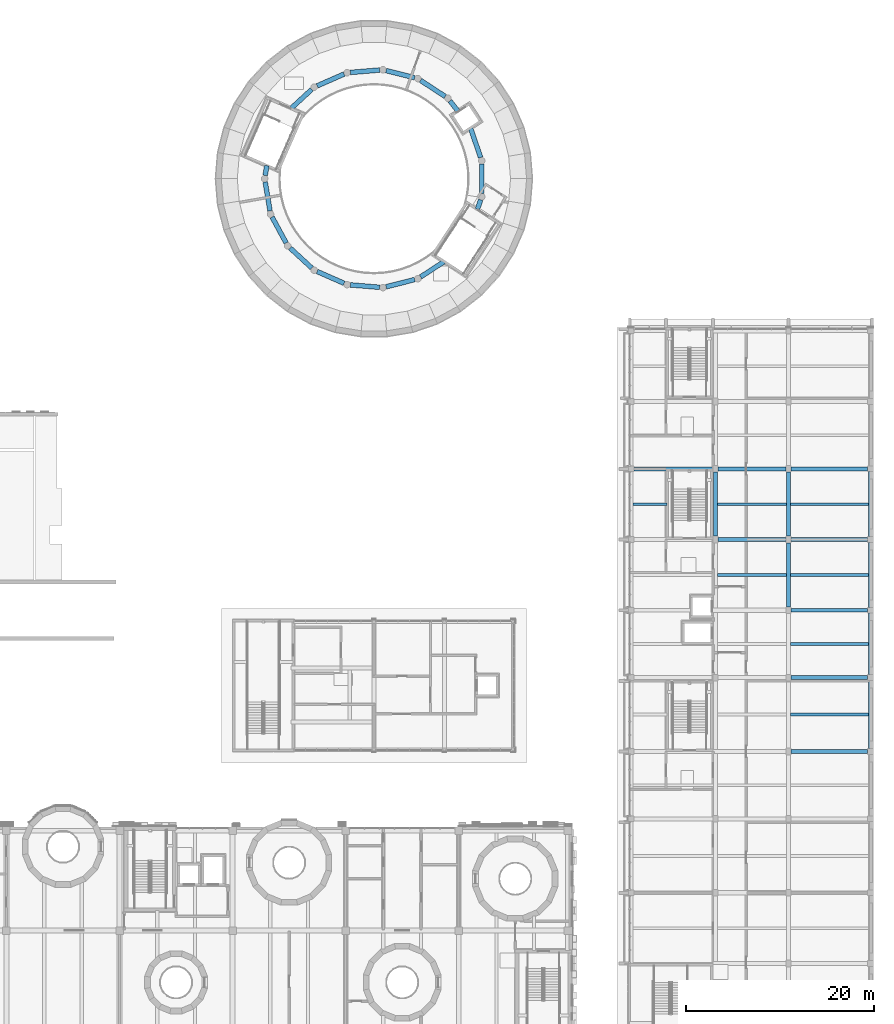
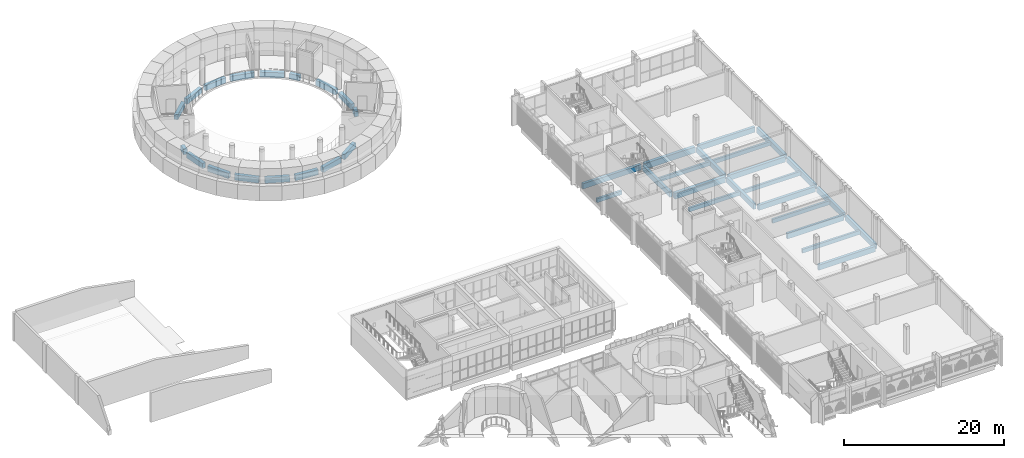
# One storey, part 33 of 92: 39 beams.
"""IFC4 building model written with IfcOpenShell, lengths in metres."""

from ifc_helpers import new_model, si_unit, direction, frame, origin, origin_2d, place, context, subcontext, project, spatial, rectangle, extrude, material, material_profile, profile_set, type_object, element, save


model = new_model("IFC4")

# Units and contexts
model_context = context("Model", 3, precision=1e-05, world=origin(), true_north=direction((0.0, 1.0)))
body_context = subcontext(model_context, "Body", "Model", "MODEL_VIEW")
ifc_project = project(units=[si_unit("LENGTHUNIT", "METRE"), si_unit("AREAUNIT", "SQUARE_METRE"), si_unit("VOLUMEUNIT", "CUBIC_METRE"), si_unit("PLANEANGLEUNIT", "RADIAN"), si_unit("MASSUNIT", "GRAM", prefix="KILO")], contexts=[model_context])

# Site, building, storey
site_placement = place(None, origin())
site = spatial("IfcSite", under=ifc_project, at=site_placement, CompositionType="ELEMENT")
building_placement = place(site_placement, origin())
building = spatial("IfcBuilding", under=site, at=building_placement, Name="Sun Court Science Centre", CompositionType="ELEMENT")
storey_placement = place(building_placement, frame((0.0, 0.0, 11.25)))
storey = spatial("IfcBuildingStorey", under=building, at=storey_placement, Name="L02", CompositionType="ELEMENT", Elevation=11.25)

# Beams
ifc_material_1 = material(Name="Concrete C25/30", Category="concrete")
ifc_material_profile_1 = material_profile(ifc_material_1, rectangle(XDim=0.39990234375, YDim=0.800048828125, at=origin_2d()), Name="RC 400x800")
ifc_profile_set_1 = profile_set([ifc_material_profile_1], Name="Concrete C25/30")
beam_type_1 = type_object("IfcBeamType", Name="RC girder 400x800", PredefinedType="BEAM", material=ifc_profile_set_1)
for number, where, z_axis, x_axis, name in (
    (1, (95.25, 36.0, -0.699951171875), (1.0, 0.0, 0.0), (0.0, 1.0, 0.0), "Girder L02 row 5"),
    (2, (95.25, 43.85009765625, -0.699951171875), (1.0, 0.0, 0.0), (0.0, 1.0, 0.0), "Girder L02 row 6"),
    (3, (95.25, 51.0, -0.699951171875), (1.0, 0.0, 0.0), (0.0, 1.0, 0.0), "Girder L02 row 7"),
    (4, (95.25, 58.5, -0.699951171875), (1.0, 0.0, 0.0), (0.0, 1.0, 0.0), "Girder L02 row 8"),
):
    element("IfcBeam", number, at=place(storey_placement, frame(where, z_axis=z_axis, x_axis=x_axis)), inside=storey, type_object=beam_type_1, Name=name, PredefinedType="BEAM", context=body_context, shape_type="SweptSolid", body=[
        extrude(rectangle(XDim=0.39990234375, YDim=0.800048828125, at=origin_2d()), origin(), (0.0, 0.0, 1.0), 8.14990234375),
    ])
beam_1_placement = place(storey_placement, frame((78.60009765625, 66.0, -0.699951171875), z_axis=(1.0, 0.0, 0.0), x_axis=(0.0, 1.0, 0.0)))
element("IfcBeam", 5, at=beam_1_placement, inside=storey, type_object=beam_type_1, Name="Girder L02 row 9", PredefinedType="BEAM", context=body_context, shape_type="SweptSolid", body=[
    extrude(rectangle(XDim=0.39990234375, YDim=0.800048828125, at=origin_2d()), origin(), (0.0, 0.0, 1.0), 8.39990234375),
])
beam_2_placement = place(storey_placement, frame((95.25, 66.0, -0.699951171875), z_axis=(1.0, 0.0, 0.0), x_axis=(0.0, 1.0, 0.0)))
element("IfcBeam", 6, at=beam_2_placement, inside=storey, type_object=beam_type_1, Name="Girder L02 row 9", PredefinedType="BEAM", context=body_context, shape_type="SweptSolid", body=[
    extrude(rectangle(XDim=0.39990234375, YDim=0.800048828125, at=origin_2d()), origin(), (0.0, 0.0, 1.0), 8.14990234375),
])
for number, where, z_axis, x_axis, name in (
    (7, (87.25, 58.85009765625, -0.699951171875), (0.0, 1.0, 0.0), (-1.0, 0.0, 0.0), "Girder L02 line 2"),
    (8, (95.0, 51.35009765625, -0.699951171875), (0.0, 1.0, 0.0), (-1.0, 0.0, 0.0), "Girder L02 line 3"),
    (9, (95.0, 58.85009765625, -0.699951171875), (0.0, 1.0, 0.0), (-1.0, 0.0, 0.0), "Girder L02 line 3"),
):
    element("IfcBeam", number, at=place(storey_placement, frame(where, z_axis=z_axis, x_axis=x_axis)), inside=storey, type_object=beam_type_1, Name=name, PredefinedType="BEAM", context=body_context, shape_type="SweptSolid", body=[
        extrude(rectangle(XDim=0.39990234375, YDim=0.800048828125, at=origin_2d()), origin(), (0.0, 0.0, 1.0), 6.7998046875),
    ])
beam_3_placement = place(storey_placement, frame((103.699951171875, 36.300048828125, -0.699951171875), z_axis=(0.0, 1.0, 0.0), x_axis=(-1.0, 0.0, 0.0)))
element("IfcBeam", 10, at=beam_3_placement, inside=storey, type_object=beam_type_1, Name="Girder L02 line 4", PredefinedType="BEAM", context=body_context, shape_type="SweptSolid", body=[
    extrude(rectangle(XDim=0.39990234375, YDim=0.800048828125, at=origin_2d()), origin(), (0.0, 0.0, 1.0), 7.25),
])
beam_4_placement = place(storey_placement, frame((103.699951171875, 44.14990234375, -0.699951171875), z_axis=(0.0, 1.0, 0.0), x_axis=(-1.0, 0.0, 0.0)))
element("IfcBeam", 11, at=beam_4_placement, inside=storey, type_object=beam_type_1, Name="Girder L02 line 4", PredefinedType="BEAM", context=body_context, shape_type="SweptSolid", body=[
    extrude(rectangle(XDim=0.39990234375, YDim=0.800048828125, at=origin_2d()), origin(), (0.0, 0.0, 1.0), 6.550048828125),
])
for number, where, z_axis, x_axis, name in (
    (12, (103.699951171875, 51.300048828125, -0.699951171875), (0.0, 1.0, 0.0), (-1.0, 0.0, 0.0), "Girder L02 line 4"),
    (13, (103.699951171875, 58.800048828125, -0.699951171875), (0.0, 1.0, 0.0), (-1.0, 0.0, 0.0), "Girder L02 line 4"),
):
    element("IfcBeam", number, at=place(storey_placement, frame(where, z_axis=z_axis, x_axis=x_axis)), inside=storey, type_object=beam_type_1, Name=name, PredefinedType="BEAM", context=body_context, shape_type="SweptSolid", body=[
        extrude(rectangle(XDim=0.39990234375, YDim=0.800048828125, at=origin_2d()), origin(), (0.0, 0.0, 1.0), 6.89990234375),
    ])
ifc_material_2 = material(Name="Concrete C25/30", Category="concrete")
ifc_material_profile_2 = material_profile(ifc_material_2, rectangle(XDim=0.449951171875, YDim=0.89990234375, at=origin_2d()), Name="RC 450x900")
ifc_profile_set_2 = profile_set([ifc_material_profile_2], Name="Concrete C25/30")
beam_type_2 = type_object("IfcBeamType", Name="RC girder 450x900", PredefinedType="BEAM", material=ifc_profile_set_2)
for number, where, z_axis, x_axis, name in (
    (14, (87.5, 58.5, -0.75), (1.0, 0.0, 0.0), (0.0, 1.0, 0.0), "Girder L02 row 8"),
    (15, (87.5, 66.0, -0.75), (1.0, 0.0, 0.0), (0.0, 1.0, 0.0), "Girder L02 row 9"),
):
    element("IfcBeam", number, at=place(storey_placement, frame(where, z_axis=z_axis, x_axis=x_axis)), inside=storey, type_object=beam_type_2, Name=name, PredefinedType="BEAM", context=body_context, shape_type="SweptSolid", body=[
        extrude(rectangle(XDim=0.449951171875, YDim=0.89990234375, at=origin_2d()), origin(), (0.0, 0.0, 1.0), 7.25),
    ])
ifc_material_3 = material(Name="Concrete C25/30", Category="concrete")
ifc_material_profile_3 = material_profile(ifc_material_3, rectangle(XDim=0.5, YDim=0.800048828125, at=origin_2d()), Name="RC 500x800")
ifc_profile_set_3 = profile_set([ifc_material_profile_3], Name="Concrete C25/30")
beam_type_3 = type_object("IfcBeamType", Name="RC girder 500x800", PredefinedType="BEAM", material=ifc_profile_set_3)
beam_5_placement = place(storey_placement, frame((62.328369140625, 99.0400390625, -0.699951171875), z_axis=(-0.324735444116, 0.945804890733, 0.0), x_axis=(-0.945804890733, -0.324735444116, 0.0)))
element("IfcBeam", 16, at=beam_5_placement, inside=storey, type_object=beam_type_3, Name="Gallery ring beam", PredefinedType="BEAM", context=body_context, shape_type="SweptSolid", body=[
    extrude(rectangle(XDim=0.5, YDim=0.800048828125, at=origin_2d()), origin(), (0.0, 0.0, 1.0), 3.3095703125),
])
beam_6_placement = place(storey_placement, frame((59.92578125, 103.96044921875, -0.699951171875), z_axis=(-0.614195708895, 0.789153743687, 0.0), x_axis=(-0.789153743687, -0.614195708895, 0.0)))
element("IfcBeam", 17, at=beam_6_placement, inside=storey, type_object=beam_type_3, Name="Gallery ring beam", PredefinedType="BEAM", context=body_context, shape_type="SweptSolid", body=[
    extrude(rectangle(XDim=0.5, YDim=0.800048828125, at=origin_2d()), origin(), (0.0, 0.0, 1.0), 1.391357421875),
])
beam_7_placement = place(storey_placement, frame((58.5634765625, 105.525634765625, -0.699951171875), z_axis=(-0.837121273755, 0.547017342528, 0.0), x_axis=(-0.547017342528, -0.837121273755, 0.0)))
element("IfcBeam", 18, at=beam_7_placement, inside=storey, type_object=beam_type_3, Name="Gallery ring beam", PredefinedType="BEAM", context=body_context, shape_type="SweptSolid", body=[
    extrude(rectangle(XDim=0.5, YDim=0.800048828125, at=origin_2d()), origin(), (0.0, 0.0, 1.0), 3.118896484375),
])
beam_8_placement = place(storey_placement, frame((55.32080078125, 107.5087890625, -0.699951171875), z_axis=(-0.969392092392, 0.245517761492, 0.0), x_axis=(-0.245517761492, -0.969392092392, 0.0)))
element("IfcBeam", 19, at=beam_8_placement, inside=storey, type_object=beam_type_3, Name="Gallery ring beam", PredefinedType="BEAM", context=body_context, shape_type="SweptSolid", body=[
    extrude(rectangle(XDim=0.5, YDim=0.800048828125, at=origin_2d()), origin(), (0.0, 0.0, 1.0), 3.119384765625),
])
for number, where, z_axis, x_axis, name in (
    (20, (51.609375, 108.33154296875, -0.699951171875), (-0.996584516189, -0.082579065707, 0.0), (0.082579065707, -0.996584516189, 0.0), "Gallery ring beam"),
    (21, (47.83203125, 107.904541015625, -0.699951171875), (-0.915776085797, -0.401689134385, 0.0), (0.401689134385, -0.915776085797, 0.0), "Gallery ring beam"),
):
    element("IfcBeam", number, at=place(storey_placement, frame(where, z_axis=z_axis, x_axis=x_axis)), inside=storey, type_object=beam_type_3, Name=name, PredefinedType="BEAM", context=body_context, shape_type="SweptSolid", body=[
        extrude(rectangle(XDim=0.5, YDim=0.800048828125, at=origin_2d()), origin(), (0.0, 0.0, 1.0), 3.119140625),
    ])
beam_9_placement = place(storey_placement, frame((44.398193359375, 106.2744140625, -0.699951171875), z_axis=(-0.735718344426, -0.677287618132, 0.0), x_axis=(0.677287618132, -0.735718344426, 0.0)))
element("IfcBeam", 22, at=beam_9_placement, inside=storey, type_object=beam_type_3, Name="Gallery ring beam", PredefinedType="BEAM", context=body_context, shape_type="SweptSolid", body=[
    extrude(rectangle(XDim=0.5, YDim=0.800048828125, at=origin_2d()), origin(), (0.0, 0.0, 1.0), 2.974853515625),
])
beam_10_placement = place(storey_placement, frame((39.630859375, 98.183349609375, -0.699951171875), z_axis=(-0.164624581976, -0.986356298205, 0.0), x_axis=(0.986356298205, -0.164624581976, 0.0)))
element("IfcBeam", 23, at=beam_10_placement, inside=storey, type_object=beam_type_3, Name="Gallery ring beam", PredefinedType="BEAM", context=body_context, shape_type="SweptSolid", body=[
    extrude(rectangle(XDim=0.5, YDim=0.800048828125, at=origin_2d()), origin(), (0.0, 0.0, 1.0), 1.052978515625),
])
beam_11_placement = place(storey_placement, frame((39.45751953125, 96.455078125, -0.699951171875), z_axis=(0.164602063052, -0.986360056389, 0.0), x_axis=(0.986360056389, 0.164602063052, 0.0)))
element("IfcBeam", 24, at=beam_11_placement, inside=storey, type_object=beam_type_3, Name="Gallery ring beam", PredefinedType="BEAM", context=body_context, shape_type="SweptSolid", body=[
    extrude(rectangle(XDim=0.5, YDim=0.800048828125, at=origin_2d()), origin(), (0.0, 0.0, 1.0), 3.119140625),
])
beam_12_placement = place(storey_placement, frame((40.195068359375, 92.725830078125, -0.699951171875), z_axis=(0.475942673452, -0.879476305302, 0.0), x_axis=(0.879476305302, 0.475942673452, 0.0)))
element("IfcBeam", 25, at=beam_12_placement, inside=storey, type_object=beam_type_3, Name="Gallery ring beam", PredefinedType="BEAM", context=body_context, shape_type="SweptSolid", body=[
    extrude(rectangle(XDim=0.5, YDim=0.800048828125, at=origin_2d()), origin(), (0.0, 0.0, 1.0), 3.118896484375),
])
beam_13_placement = place(storey_placement, frame((42.103271484375, 89.4384765625, -0.699951171875), z_axis=(0.735696984759, -0.677310819799, 0.0), x_axis=(0.677310819799, 0.735696984759, 0.0)))
element("IfcBeam", 26, at=beam_13_placement, inside=storey, type_object=beam_type_3, Name="Gallery ring beam", PredefinedType="BEAM", context=body_context, shape_type="SweptSolid", body=[
    extrude(rectangle(XDim=0.5, YDim=0.800048828125, at=origin_2d()), origin(), (0.0, 0.0, 1.0), 3.119384765625),
])
for number, where, z_axis, x_axis, name in (
    (27, (44.9755859375, 86.948486328125, -0.699951171875), (0.915776085797, -0.401689134385, 0.0), (0.401689134385, 0.915776085797, 0.0), "Gallery ring beam"),
    (28, (48.5009765625, 85.526123046875, -0.699951171875), (0.996584516189, -0.082579065707, 0.0), (0.082579065707, 0.996584516189, 0.0), "Gallery ring beam"),
):
    element("IfcBeam", number, at=place(storey_placement, frame(where, z_axis=z_axis, x_axis=x_axis)), inside=storey, type_object=beam_type_3, Name=name, PredefinedType="BEAM", context=body_context, shape_type="SweptSolid", body=[
        extrude(rectangle(XDim=0.5, YDim=0.800048828125, at=origin_2d()), origin(), (0.0, 0.0, 1.0), 3.119140625),
    ])
beam_14_placement = place(storey_placement, frame((52.296875, 85.325439453125, -0.699951171875), z_axis=(0.969392092392, 0.245517761492, 0.0), x_axis=(-0.245517761492, 0.969392092392, 0.0)))
element("IfcBeam", 29, at=beam_14_placement, inside=storey, type_object=beam_type_3, Name="Gallery ring beam", PredefinedType="BEAM", context=body_context, shape_type="SweptSolid", body=[
    extrude(rectangle(XDim=0.5, YDim=0.800048828125, at=origin_2d()), origin(), (0.0, 0.0, 1.0), 3.119384765625),
])
beam_15_placement = place(storey_placement, frame((55.95263671875, 86.368408203125, -0.699951171875), z_axis=(0.837166200016, 0.54694858401, 0.0), x_axis=(-0.54694858401, 0.837166200016, 0.0)))
element("IfcBeam", 30, at=beam_15_placement, inside=storey, type_object=beam_type_3, Name="Gallery ring beam", PredefinedType="BEAM", context=body_context, shape_type="SweptSolid", body=[
    extrude(rectangle(XDim=0.5, YDim=0.800048828125, at=origin_2d()), origin(), (0.0, 0.0, 1.0), 2.974609375),
])
beam_16_placement = place(storey_placement, frame((61.986328125, 93.564208984375, -0.699951171875), z_axis=(0.324839997595, 0.945768986573, 0.0), x_axis=(-0.945768986573, 0.324839997595, 0.0)))
element("IfcBeam", 31, at=beam_16_placement, inside=storey, type_object=beam_type_3, Name="Gallery ring beam", PredefinedType="BEAM", context=body_context, shape_type="SweptSolid", body=[
    extrude(rectangle(XDim=0.5, YDim=0.800048828125, at=origin_2d()), origin(), (0.0, 0.0, 1.0), 1.052978515625),
])
beam_17_placement = place(storey_placement, frame((62.44189453125, 95.24072265625, -0.699951171875), z_axis=(0.0, 1.0, 0.0), x_axis=(-1.0, 0.0, 0.0)))
element("IfcBeam", 32, at=beam_17_placement, inside=storey, type_object=beam_type_3, Name="Gallery ring beam", PredefinedType="BEAM", context=body_context, shape_type="SweptSolid", body=[
    extrude(rectangle(XDim=0.5, YDim=0.800048828125, at=origin_2d()), origin(), (0.0, 0.0, 1.0), 3.11865234375),
])
ifc_material_4 = material(Name="Concrete C25/30", Category="concrete")
ifc_material_profile_4 = material_profile(ifc_material_4, rectangle(XDim=0.300048828125, YDim=0.60009765625, at=origin_2d()), Name="RC 300x600")
ifc_profile_set_4 = profile_set([ifc_material_profile_4], Name="Concrete C25/30")
beam_type_4 = type_object("IfcBeamType", Name="RC joist 300x600", PredefinedType="JOIST", material=ifc_profile_set_4)
for number, where, z_axis, x_axis, name in (
    (33, (95.199951171875, 39.925048828125, -0.60009765625), (1.0, 0.0, 0.0), (0.0, 1.0, 0.0), "Joist L02"),
    (34, (95.199951171875, 47.425048828125, -0.60009765625), (1.0, 0.0, 0.0), (0.0, 1.0, 0.0), "Joist L02"),
):
    element("IfcBeam", number, at=place(storey_placement, frame(where, z_axis=z_axis, x_axis=x_axis)), inside=storey, type_object=beam_type_4, Name=name, PredefinedType="JOIST", context=body_context, shape_type="SweptSolid", body=[
        extrude(rectangle(XDim=0.300048828125, YDim=0.60009765625, at=origin_2d()), origin(), (0.0, 0.0, 1.0), 8.300048828125),
    ])
beam_18_placement = place(storey_placement, frame((87.449951171875, 54.75, -0.60009765625), z_axis=(1.0, 0.0, 0.0), x_axis=(0.0, 1.0, 0.0)))
element("IfcBeam", 35, at=beam_18_placement, inside=storey, type_object=beam_type_4, Name="Joist L02", PredefinedType="JOIST", context=body_context, shape_type="SweptSolid", body=[
    extrude(rectangle(XDim=0.300048828125, YDim=0.60009765625, at=origin_2d()), origin(), (0.0, 0.0, 1.0), 7.35009765625),
])
beam_19_placement = place(storey_placement, frame((95.199951171875, 54.75, -0.60009765625), z_axis=(1.0, 0.0, 0.0), x_axis=(0.0, 1.0, 0.0)))
element("IfcBeam", 36, at=beam_19_placement, inside=storey, type_object=beam_type_4, Name="Joist L02", PredefinedType="JOIST", context=body_context, shape_type="SweptSolid", body=[
    extrude(rectangle(XDim=0.300048828125, YDim=0.60009765625, at=origin_2d()), origin(), (0.0, 0.0, 1.0), 8.300048828125),
])
beam_20_placement = place(storey_placement, frame((78.5, 62.25, -0.60009765625), z_axis=(1.0, 0.0, 0.0), x_axis=(0.0, 1.0, 0.0)))
element("IfcBeam", 37, at=beam_20_placement, inside=storey, type_object=beam_type_4, Name="Joist L02", PredefinedType="JOIST", context=body_context, shape_type="SweptSolid", body=[
    extrude(rectangle(XDim=0.300048828125, YDim=0.60009765625, at=origin_2d()), origin(), (0.0, 0.0, 1.0), 3.60009765625),
])
beam_21_placement = place(storey_placement, frame((87.449951171875, 62.25, -0.60009765625), z_axis=(1.0, 0.0, 0.0), x_axis=(0.0, 1.0, 0.0)))
element("IfcBeam", 38, at=beam_21_placement, inside=storey, type_object=beam_type_4, Name="Joist L02", PredefinedType="JOIST", context=body_context, shape_type="SweptSolid", body=[
    extrude(rectangle(XDim=0.300048828125, YDim=0.60009765625, at=origin_2d()), origin(), (0.0, 0.0, 1.0), 7.35009765625),
])
beam_22_placement = place(storey_placement, frame((95.199951171875, 62.25, -0.60009765625), z_axis=(1.0, 0.0, 0.0), x_axis=(0.0, 1.0, 0.0)))
element("IfcBeam", 39, at=beam_22_placement, inside=storey, type_object=beam_type_4, Name="Joist L02", PredefinedType="JOIST", context=body_context, shape_type="SweptSolid", body=[
    extrude(rectangle(XDim=0.300048828125, YDim=0.60009765625, at=origin_2d()), origin(), (0.0, 0.0, 1.0), 8.300048828125),
])

save(model, "model.ifc")
